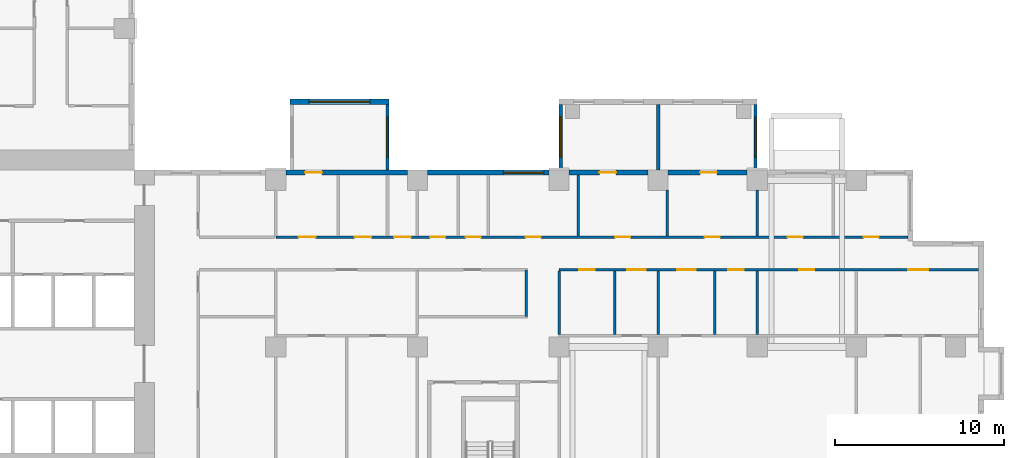
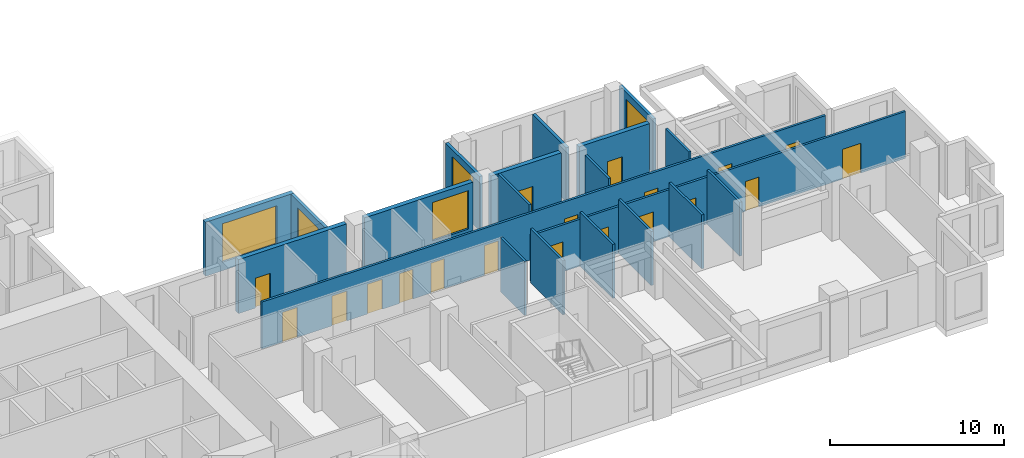
# One storey, part 7 of 17: 20 walls, 19 doors, 5 windows, 24 openings.
"""IFC4 building model written with IfcOpenShell, lengths in metres."""

import ifcopenshell
import ifcopenshell.guid

model = None  # the IFC model being written
_history = None  # IfcOwnerHistory: only IFC2X3 demands one
_inside = {}  # id of a spatial element -> (the spatial element, [elements in it])
_under = {}  # id of a project, library or spatial element -> (it, [spatial elements below it])
_declared = {}  # id of a project -> (the project, [libraries it declares])
_typed = {}  # id of a type object -> (the type object, [elements of that type])
_made_of = {}  # id of a material, layer set ... -> (it, [elements and type objects made of it])


def new_model(schema):
    """Start an empty IFC model of exactly this schema.

    Asked for "IFC4X3", IfcOpenShell would pick the latest addendum, in which some entities
    have other attributes; the version numbers below select the first issue.
    IFC2X3 requires an IfcOwnerHistory on every rooted entity: one is made here for all.
    """
    global model, _history
    if schema == "IFC4X3":
        model = ifcopenshell.file(schema_version=(4, 3, 0, 0))
    else:
        model = ifcopenshell.file(schema=schema)
    _inside.clear()
    _under.clear()
    _declared.clear()
    _typed.clear()
    _made_of.clear()
    _history = None
    if model.schema == "IFC2X3":
        org = make("IfcOrganization", Name="unknown")
        user = make(
            "IfcPersonAndOrganization",
            ThePerson=make("IfcPerson", FamilyName="unknown"),
            TheOrganization=org,
        )
        app = make(
            "IfcApplication",
            ApplicationDeveloper=org,
            Version="unknown",
            ApplicationFullName="unknown",
            ApplicationIdentifier="unknown",
        )
        _history = make(
            "IfcOwnerHistory",
            OwningUser=user,
            OwningApplication=app,
            ChangeAction="ADDED",
            CreationDate=0,
        )
    return model


def make(cls, **values):
    """One entity of the class cls with the attributes given. An attribute that is None is left unset."""
    return model.create_entity(
        cls, **{name: value for name, value in values.items() if value is not None}
    )


def rooted(cls, **values):
    """An entity with a GlobalId (a new one), such as an element, a storey or a relation."""
    return make(cls, GlobalId=ifcopenshell.guid.new(), OwnerHistory=_history, **values)


def si_unit(unit_type, name, prefix=None):
    """IfcSIUnit, for example si_unit("LENGTHUNIT", "METRE", prefix="MILLI")."""
    return make("IfcSIUnit", UnitType=unit_type, Prefix=prefix, Name=name)


def assignment(units):
    """IfcUnitAssignment: the units of a project."""
    return None if units is None else make("IfcUnitAssignment", Units=units)


def point(xyz):
    """IfcCartesianPoint."""
    return None if xyz is None else make("IfcCartesianPoint", Coordinates=xyz)


def direction(xyz):
    """IfcDirection."""
    return None if xyz is None else make("IfcDirection", DirectionRatios=xyz)


def frame(location, z_axis=None, x_axis=None):
    """IfcAxis2Placement3D, a coordinate frame: its origin and axes. An axis left out is left unset."""
    return make(
        "IfcAxis2Placement3D",
        Location=point(location),
        Axis=direction(z_axis),
        RefDirection=direction(x_axis),
    )


def frame_2d(location, x_axis=None):
    """IfcAxis2Placement2D, a coordinate frame in the plane: its origin and x axis."""
    return make(
        "IfcAxis2Placement2D", Location=point(location), RefDirection=direction(x_axis)
    )


def origin():
    """The frame at (0, 0, 0) with its axes left unset."""
    return frame((0.0, 0.0, 0.0))


def place(relative_to, where):
    """IfcLocalPlacement: puts the frame where relative to a parent placement (None: the world)."""
    return make(
        "IfcLocalPlacement", PlacementRelTo=relative_to, RelativePlacement=where
    )


def context(
    kind, dimensions, precision=None, world=None, true_north=None, identifier=None
):
    """IfcGeometricRepresentationContext, for example the 3D "Model" context."""
    return make(
        "IfcGeometricRepresentationContext",
        ContextIdentifier=identifier,
        ContextType=kind,
        CoordinateSpaceDimension=dimensions,
        Precision=precision,
        WorldCoordinateSystem=world,
        TrueNorth=true_north,
    )


def subcontext(parent, identifier, kind, view, scale=None):
    """IfcGeometricRepresentationSubContext, for example "Body" below "Model"."""
    return make(
        "IfcGeometricRepresentationSubContext",
        ContextIdentifier=identifier,
        ContextType=kind,
        ParentContext=parent,
        TargetScale=scale,
        TargetView=view,
    )


def project(units=None, contexts=None):
    """IfcProject with its units and contexts."""
    return rooted(
        "IfcProject",
        Name="project",
        RepresentationContexts=contexts,
        UnitsInContext=assignment(units),
    )


def spatial(cls, under=None, at=None, **own):
    """A site, building, storey or space (cls), placed at a placement, below another one or the project."""
    s = rooted(cls, ObjectPlacement=at, **own)
    if under is not None:
        _under.setdefault(under.id(), (under, []))[1].append(s)
    return s


def profile(cls, at=None, kind="AREA", **sizes):
    """A parametric profile (cls). Its sizes go by their IFC names, for example OverallWidth=200.0."""
    return make(cls, ProfileType=kind, Position=at, **sizes)


def rectangle(**sizes):
    """IfcRectangleProfileDef."""
    return profile("IfcRectangleProfileDef", **sizes)


def extrude(swept, where, along, depth):
    """IfcExtrudedAreaSolid: the profile swept, set in the frame where, extruded along a direction by depth."""
    return make(
        "IfcExtrudedAreaSolid",
        SweptArea=swept,
        Position=where,
        ExtrudedDirection=direction(along),
        Depth=depth,
    )


def shape(context_of_items, identifier, shape_type, items):
    """IfcShapeRepresentation: the items that make up one representation, for example the "Body"."""
    return make(
        "IfcShapeRepresentation",
        ContextOfItems=context_of_items,
        RepresentationIdentifier=identifier,
        RepresentationType=shape_type,
        Items=items,
    )


def source(mapping_origin, context_of_items, identifier, shape_type, items):
    """IfcRepresentationMap: a shape defined once, which mapped items show again and again."""
    return make(
        "IfcRepresentationMap",
        MappingOrigin=mapping_origin,
        MappedRepresentation=shape(context_of_items, identifier, shape_type, items),
    )


def transform(
    local_origin,
    x_axis=None,
    y_axis=None,
    z_axis=None,
    scale=None,
    scale2=None,
    scale3=None,
    uniform=True,
):
    """IfcCartesianTransformationOperator3D, or its non-uniform kind. x_axis, y_axis, z_axis: its Axis1, 2, 3."""
    if uniform:
        return make(
            "IfcCartesianTransformationOperator3D",
            Axis1=direction(x_axis),
            Axis2=direction(y_axis),
            LocalOrigin=point(local_origin),
            Scale=scale,
            Axis3=direction(z_axis),
        )
    return make(
        "IfcCartesianTransformationOperator3DnonUniform",
        Axis1=direction(x_axis),
        Axis2=direction(y_axis),
        LocalOrigin=point(local_origin),
        Scale=scale,
        Axis3=direction(z_axis),
        Scale2=scale2,
        Scale3=scale3,
    )


def mapped(mapping_source, mapping_target):
    """IfcMappedItem: shows the shape of a source again, moved by a transform."""
    return make(
        "IfcMappedItem", MappingSource=mapping_source, MappingTarget=mapping_target
    )


def material(Name=None, Category=None):
    """IfcMaterial."""
    return make("IfcMaterial", Name=Name, Category=Category)


def layer(
    of_material, thickness, ventilated=None, Name=None, Category=None, Priority=None
):
    """IfcMaterialLayer: one layer of a wall or slab, of a material (None: an air gap)."""
    return make(
        "IfcMaterialLayer",
        Material=of_material,
        LayerThickness=thickness,
        IsVentilated=ventilated,
        Name=Name,
        Category=Category,
        Priority=Priority,
    )


def layer_set(layers, Name=None):
    """IfcMaterialLayerSet."""
    return make("IfcMaterialLayerSet", MaterialLayers=layers, LayerSetName=Name)


def made_of(thing, what):
    """Note that an element or type object is made of a material, layer set ...; save() writes the relation."""
    if what is not None:
        _made_of.setdefault(what.id(), (what, []))[1].append(thing)
    return thing


def type_object(cls, material=None, **own):
    """A type object (cls), such as IfcWallType, which elements share."""
    return made_of(rooted(cls, **own), material)


def element(
    cls,
    number,
    at=None,
    inside=None,
    cuts=None,
    type_object=None,
    material=None,
    context=None,
    identifier="Body",
    shape_type=None,
    held_by="IfcProductDefinitionShape",
    body=None,
    shapes=None,
    **own,
):
    """One element of the class cls, such as IfcWall. Its Tag is "e" and its number.

    at: its placement. inside: the storey or other place that contains it. cuts: it is an
    opening in that element (IfcRelVoidsElement). A single representation is given by context,
    identifier, shape_type and body (its items); several are given by shapes. held_by: the class
    of the entity that holds the representations. save() writes the other relations.
    """
    e = rooted(cls, Tag="e%d" % number, ObjectPlacement=at, **own)
    if body is not None:
        shapes = [shape(context, identifier, shape_type, body)]
    if shapes is not None:
        e.Representation = make(held_by, Representations=shapes)
    if inside is not None:
        _inside.setdefault(inside.id(), (inside, []))[1].append(e)
    if cuts is not None:
        rooted(
            "IfcRelVoidsElement", RelatingBuildingElement=cuts, RelatedOpeningElement=e
        )
    if type_object is not None:
        _typed.setdefault(type_object.id(), (type_object, []))[1].append(e)
    return made_of(e, material)


def fill(opening, filler):
    """IfcRelFillsElement: the door or window that sits in an opening."""
    return rooted(
        "IfcRelFillsElement",
        RelatingOpeningElement=opening,
        RelatedBuildingElement=filler,
    )


def aggregate(whole, parts):
    """IfcRelAggregates: a whole, such as a stair, and the parts it consists of."""
    return rooted("IfcRelAggregates", RelatingObject=whole, RelatedObjects=parts)


def save(model, path):
    """Write the relations noted so far, then the file.

    IfcRelAggregates (storeys below a building ...), IfcRelContainedInSpatialStructure (elements
    in a storey), IfcRelDefinesByType, IfcRelAssociatesMaterial and IfcRelDeclares: one each for
    every whole, place, type object, material and project.
    """
    for whole, parts in _under.values():
        aggregate(whole, parts)
    for where, things in _inside.values():
        rooted(
            "IfcRelContainedInSpatialStructure",
            RelatedElements=things,
            RelatingStructure=where,
        )
    for kind, things in _typed.values():
        rooted("IfcRelDefinesByType", RelatedObjects=things, RelatingType=kind)
    for what, things in _made_of.values():
        rooted("IfcRelAssociatesMaterial", RelatedObjects=things, RelatingMaterial=what)
    for by, libraries in _declared.values():
        rooted("IfcRelDeclares", RelatingContext=by, RelatedDefinitions=libraries)
    model.write(path)


model = new_model("IFC4")

# Units and contexts
model_context = context("Model", 3, precision=1e-05, world=origin(), true_north=direction((0.0, 1.0)))
body_context = subcontext(model_context, "Body", "Model", "MODEL_VIEW")
ifc_project = project(units=[si_unit("LENGTHUNIT", "METRE"), si_unit("AREAUNIT", "SQUARE_METRE"), si_unit("VOLUMEUNIT", "CUBIC_METRE"), si_unit("PLANEANGLEUNIT", "RADIAN"), si_unit("MASSUNIT", "GRAM", prefix="KILO")], contexts=[model_context])

# Site, building, storey
site_placement = place(None, origin())
site = spatial("IfcSite", under=ifc_project, at=site_placement, CompositionType="ELEMENT")
building_placement = place(site_placement, origin())
building = spatial("IfcBuilding", under=site, at=building_placement, Name="Aurelian Terraces", CompositionType="ELEMENT")
storey_placement = place(building_placement, frame((0.0, 0.0, 69.9)))
storey = spatial("IfcBuildingStorey", under=building, at=storey_placement, Name="L14", CompositionType="ELEMENT", Elevation=69.9)

# Wall, opening, window
ifc_material_1 = material(Name="Terracotta rainscreen cladding", Category="masonry")
ifc_layer_1 = layer(ifc_material_1, 0.3)
ifc_layer_set_1 = layer_set([ifc_layer_1], Name="EW-300")
wall_type_1 = type_object("IfcWallType", Name="EW-300", PredefinedType="STANDARD", material=ifc_layer_set_1)
shared_shape_1 = source(origin(), body_context, "Body", "SweptSolid", [
    extrude(rectangle(XDim=7.2, YDim=0.3, at=frame_2d((3.6, 0.0))), origin(), (0.0, 0.0, 1.0), 3.8),
])
wall_1_placement = place(storey_placement, frame((45.6, 20.85, 0.0), z_axis=(0.0, 0.0, 1.0), x_axis=(-1.0, 0.0, 0.0)))
wall_1 = element("IfcWall", 1, at=wall_1_placement, inside=storey, type_object=wall_type_1, Name="External wall L14 F07.21", PredefinedType="STANDARD", context=body_context, shape_type="MappedRepresentation", body=[
    mapped(shared_shape_1, transform((0.0, 0.0, 0.0), scale=1.0)),
])
shared_shape_2 = source(origin(), body_context, "Body", "SweptSolid", [
    extrude(rectangle(XDim=2.4, YDim=2.7, at=frame_2d((1.2, 1.35))), frame((0.0, 0.16, 0.0), z_axis=(0.0, -1.0, 0.0), x_axis=(1.0, 0.0, 0.0)), (0.0, 0.0, 1.0), 0.32),
])
opening_1_placement = place(wall_1_placement, frame((0.3, 0.0, 0.6)))
opening_1 = element("IfcOpeningElement", 2, at=opening_1_placement, cuts=wall_1, Name="Opening W2427", PredefinedType="OPENING", context=body_context, shape_type="MappedRepresentation", body=[
    mapped(shared_shape_2, transform((0.0, 0.0, 0.0), scale=1.0)),
])
ifc_material_2 = material(Name="Clear glazing", Category="glass")
window_type_1 = type_object("IfcWindowType", Name="W-2400x2700", PartitioningType="SINGLE_PANEL", PredefinedType="WINDOW", material=ifc_material_2)
shared_shape_3 = source(origin(), body_context, "Body", "SweptSolid", [
    extrude(rectangle(XDim=2.4, YDim=2.7, at=frame_2d((1.2, 1.35))), frame((0.0, 0.03, 0.0), z_axis=(0.0, -1.0, 0.0), x_axis=(1.0, 0.0, 0.0)), (0.0, 0.0, 1.0), 0.06),
])
window_1_placement = place(opening_1_placement, origin())
window_1 = element("IfcWindow", 3, at=window_1_placement, inside=storey, type_object=window_type_1, Name="Window L14 L14-F07-21-0", OverallHeight=2.7, OverallWidth=2.4, PartitioningType="SINGLE_PANEL", PredefinedType="WINDOW", context=body_context, shape_type="MappedRepresentation", body=[
    mapped(shared_shape_3, transform((0.0, 0.0, 0.0), scale=1.0)),
])
fill(opening_1, window_1)

# Wall, opening, door
wall_2_placement = place(storey_placement, frame((37.2, 20.85, 0.0), z_axis=(0.0, 0.0, 1.0), x_axis=(-1.0, 0.0, 0.0)))
wall_2 = element("IfcWall", 4, at=wall_2_placement, inside=storey, type_object=wall_type_1, Name="External wall L14 F07.21", PredefinedType="STANDARD", context=body_context, shape_type="MappedRepresentation", body=[
    mapped(shared_shape_1, transform((0.0, 0.0, 0.0), scale=1.0)),
])
shared_shape_4 = source(origin(), body_context, "Body", "SweptSolid", [
    extrude(rectangle(XDim=1.0, YDim=2.1, at=frame_2d((0.5, 1.05))), frame((0.0, 0.16, 0.0), z_axis=(0.0, -1.0, 0.0), x_axis=(1.0, 0.0, 0.0)), (0.0, 0.0, 1.0), 0.32),
])
opening_2_placement = place(wall_2_placement, frame((5.06, 0.0, 0.0)))
opening_2 = element("IfcOpeningElement", 5, at=opening_2_placement, cuts=wall_2, Name="Opening 814002", PredefinedType="OPENING", context=body_context, shape_type="MappedRepresentation", body=[
    mapped(shared_shape_4, transform((0.0, 0.0, 0.0), scale=1.0)),
])
ifc_material_3 = material(Name="Timber door leaf", Category="wood")
door_type_1 = type_object("IfcDoorType", Name="Room door 1000x2100 left", OperationType="SINGLE_SWING_LEFT", PredefinedType="DOOR", material=ifc_material_3)
shared_shape_5 = source(origin(), body_context, "Body", "SweptSolid", [
    extrude(rectangle(XDim=1.0, YDim=2.1, at=frame_2d((0.5, 1.05))), frame((0.0, 0.025, 0.0), z_axis=(0.0, -1.0, 0.0), x_axis=(1.0, 0.0, 0.0)), (0.0, 0.0, 1.0), 0.05),
])
door_1_placement = place(opening_2_placement, origin())
door_1 = element("IfcDoor", 6, at=door_1_placement, inside=storey, type_object=door_type_1, Name="Door 814002", OperationType="SINGLE_SWING_LEFT", OverallHeight=2.1, OverallWidth=1.0, PredefinedType="DOOR", context=body_context, shape_type="MappedRepresentation", body=[
    mapped(shared_shape_5, transform((0.0, 0.0, 0.0), scale=1.0)),
])
fill(opening_2, door_1)

shared_shape_6 = source(origin(), body_context, "Body", "SweptSolid", [
    extrude(rectangle(XDim=4.68, YDim=0.3, at=frame_2d((2.34, 0.0))), origin(), (0.0, 0.0, 1.0), 3.8),
])
wall_3_placement = place(storey_placement, frame((57.36, 20.85, 0.0), z_axis=(0.0, 0.0, 1.0), x_axis=(-1.0, 0.0, 0.0)))
wall_3 = element("IfcWall", 7, at=wall_3_placement, inside=storey, type_object=wall_type_1, Name="External wall L14 F07.20", PredefinedType="STANDARD", context=body_context, shape_type="MappedRepresentation", body=[
    mapped(shared_shape_6, transform((0.0, 0.0, 0.0), scale=1.0)),
])
opening_3_placement = place(wall_3_placement, frame((1.7933, 0.0, 0.0)))
opening_3 = element("IfcOpeningElement", 8, at=opening_3_placement, cuts=wall_3, Name="Opening 814005", PredefinedType="OPENING", context=body_context, shape_type="MappedRepresentation", body=[
    mapped(shared_shape_4, transform((0.0, 0.0, 0.0), scale=1.0)),
])
door_2_placement = place(opening_3_placement, origin())
door_2 = element("IfcDoor", 9, at=door_2_placement, inside=storey, type_object=door_type_1, Name="Door 814005", OperationType="SINGLE_SWING_LEFT", OverallHeight=2.1, OverallWidth=1.0, PredefinedType="DOOR", context=body_context, shape_type="MappedRepresentation", body=[
    mapped(shared_shape_5, transform((0.0, 0.0, 0.0), scale=1.0)),
])
fill(opening_3, door_2)

wall_4_placement = place(storey_placement, frame((51.48, 20.85, 0.0), z_axis=(0.0, 0.0, 1.0), x_axis=(-1.0, 0.0, 0.0)))
wall_4 = element("IfcWall", 10, at=wall_4_placement, inside=storey, type_object=wall_type_1, Name="External wall L14 F07.20", PredefinedType="STANDARD", context=body_context, shape_type="MappedRepresentation", body=[
    mapped(shared_shape_6, transform((0.0, 0.0, 0.0), scale=1.0)),
])
opening_4_placement = place(wall_4_placement, frame((1.8867, 0.0, 0.0)))
opening_4 = element("IfcOpeningElement", 11, at=opening_4_placement, cuts=wall_4, Name="Opening 814006", PredefinedType="OPENING", context=body_context, shape_type="MappedRepresentation", body=[
    mapped(shared_shape_4, transform((0.0, 0.0, 0.0), scale=1.0)),
])
door_3_placement = place(opening_4_placement, origin())
door_3 = element("IfcDoor", 12, at=door_3_placement, inside=storey, type_object=door_type_1, Name="Door 814006", OperationType="SINGLE_SWING_LEFT", OverallHeight=2.1, OverallWidth=1.0, PredefinedType="DOOR", context=body_context, shape_type="MappedRepresentation", body=[
    mapped(shared_shape_5, transform((0.0, 0.0, 0.0), scale=1.0)),
])
fill(opening_4, door_3)

# Wall, opening, window
ifc_material_4 = material(Name="Concrete fc' 40 MPa", Category="concrete")
ifc_layer_2 = layer(ifc_material_4, 0.2)
ifc_layer_set_2 = layer_set([ifc_layer_2], Name="BOX BEARING WALL 200")
wall_type_2 = type_object("IfcWallType", Name="BOX BEARING WALL 200", PredefinedType="SOLIDWALL", material=ifc_layer_set_2)
shared_shape_7 = source(origin(), body_context, "Body", "SweptSolid", [
    extrude(rectangle(XDim=3.9, YDim=0.2, at=frame_2d((1.95, 0.0))), origin(), (0.0, 0.0, 1.0), 3.79),
])
wall_5_placement = place(storey_placement, frame((57.86, 21.0, 0.0), z_axis=(0.0, 0.0, 1.0), x_axis=(0.0, 1.0, 0.0)))
wall_5 = element("IfcWall", 13, at=wall_5_placement, inside=storey, type_object=wall_type_2, Name="Box return L14 K01.1", PredefinedType="SOLIDWALL", context=body_context, shape_type="MappedRepresentation", body=[
    mapped(shared_shape_7, transform((0.0, 0.0, 0.0), scale=1.0)),
])
shared_shape_8 = source(origin(), body_context, "Body", "SweptSolid", [
    extrude(rectangle(XDim=2.4, YDim=2.7, at=frame_2d((1.2, 1.35))), frame((0.0, 0.11, 0.0), z_axis=(0.0, -1.0, 0.0), x_axis=(1.0, 0.0, 0.0)), (0.0, 0.0, 1.0), 0.22),
])
opening_5_placement = place(wall_5_placement, frame((0.75, 0.0, 0.6)))
opening_5 = element("IfcOpeningElement", 14, at=opening_5_placement, cuts=wall_5, Name="Opening W2427", PredefinedType="OPENING", context=body_context, shape_type="MappedRepresentation", body=[
    mapped(shared_shape_8, transform((0.0, 0.0, 0.0), scale=1.0)),
])
window_2_placement = place(opening_5_placement, origin())
window_2 = element("IfcWindow", 15, at=window_2_placement, inside=storey, type_object=window_type_1, Name="Window L14 K01-S1", OverallHeight=2.7, OverallWidth=2.4, PartitioningType="SINGLE_PANEL", PredefinedType="WINDOW", context=body_context, shape_type="MappedRepresentation", body=[
    mapped(shared_shape_3, transform((0.0, 0.0, 0.0), scale=1.0)),
])
fill(opening_5, window_2)

wall_6_placement = place(storey_placement, frame((46.3, 21.0, 0.0), z_axis=(0.0, 0.0, 1.0), x_axis=(0.0, 1.0, 0.0)))
wall_6 = element("IfcWall", 16, at=wall_6_placement, inside=storey, type_object=wall_type_2, Name="Box return L14 K01.2", PredefinedType="SOLIDWALL", context=body_context, shape_type="MappedRepresentation", body=[
    mapped(shared_shape_7, transform((0.0, 0.0, 0.0), scale=1.0)),
])
opening_6_placement = place(wall_6_placement, frame((0.75, 0.0, 0.6)))
opening_6 = element("IfcOpeningElement", 17, at=opening_6_placement, cuts=wall_6, Name="Opening W2427", PredefinedType="OPENING", context=body_context, shape_type="MappedRepresentation", body=[
    mapped(shared_shape_8, transform((0.0, 0.0, 0.0), scale=1.0)),
])
window_3_placement = place(opening_6_placement, origin())
window_3 = element("IfcWindow", 18, at=window_3_placement, inside=storey, type_object=window_type_1, Name="Window L14 K01-S2", OverallHeight=2.7, OverallWidth=2.4, PartitioningType="SINGLE_PANEL", PredefinedType="WINDOW", context=body_context, shape_type="MappedRepresentation", body=[
    mapped(shared_shape_3, transform((0.0, 0.0, 0.0), scale=1.0)),
])
fill(opening_6, window_3)

shared_shape_9 = source(origin(), body_context, "Body", "SweptSolid", [
    extrude(rectangle(XDim=3.9, YDim=0.2, at=frame_2d((1.95, 0.0))), origin(), (0.0, 0.0, 1.0), 3.8),
])
wall_7_placement = place(storey_placement, frame((36.02, 21.0, 0.0), z_axis=(0.0, 0.0, 1.0), x_axis=(0.0, 1.0, 0.0)))
wall_7 = element("IfcWall", 19, at=wall_7_placement, inside=storey, type_object=wall_type_2, Name="Box return L14 J13.1", PredefinedType="SOLIDWALL", context=body_context, shape_type="MappedRepresentation", body=[
    mapped(shared_shape_9, transform((0.0, 0.0, 0.0), scale=1.0)),
])
opening_7_placement = place(wall_7_placement, frame((0.75, 0.0, 0.6)))
opening_7 = element("IfcOpeningElement", 20, at=opening_7_placement, cuts=wall_7, Name="Opening W2427", PredefinedType="OPENING", context=body_context, shape_type="MappedRepresentation", body=[
    mapped(shared_shape_8, transform((0.0, 0.0, 0.0), scale=1.0)),
])
window_4_placement = place(opening_7_placement, origin())
window_4 = element("IfcWindow", 21, at=window_4_placement, inside=storey, type_object=window_type_1, Name="Window L14 J13-S1", OverallHeight=2.7, OverallWidth=2.4, PartitioningType="SINGLE_PANEL", PredefinedType="WINDOW", context=body_context, shape_type="MappedRepresentation", body=[
    mapped(shared_shape_3, transform((0.0, 0.0, 0.0), scale=1.0)),
])
fill(opening_7, window_4)

ifc_layer_3 = layer(ifc_material_4, 0.3)
ifc_layer_set_3 = layer_set([ifc_layer_3], Name="BOX BEARING WALL 300")
wall_type_3 = type_object("IfcWallType", Name="BOX BEARING WALL 300", PredefinedType="SOLIDWALL", material=ifc_layer_set_3)
shared_shape_10 = source(origin(), body_context, "Body", "SweptSolid", [
    extrude(rectangle(XDim=5.88, YDim=0.3, at=frame_2d((2.94, 0.0))), origin(), (0.0, 0.0, 1.0), 3.8),
])
wall_8_placement = place(storey_placement, frame((36.12, 25.05, 0.0), z_axis=(0.0, 0.0, 1.0), x_axis=(-1.0, 0.0, 0.0)))
wall_8 = element("IfcWall", 22, at=wall_8_placement, inside=storey, type_object=wall_type_3, Name="Box wall L14 J13", PredefinedType="SOLIDWALL", context=body_context, shape_type="MappedRepresentation", body=[
    mapped(shared_shape_10, transform((0.0, 0.0, 0.0), scale=1.0)),
])
shared_shape_11 = source(origin(), body_context, "Body", "SweptSolid", [
    extrude(rectangle(XDim=3.6, YDim=2.7, at=frame_2d((1.8, 1.35))), frame((0.0, 0.16, 0.0), z_axis=(0.0, -1.0, 0.0), x_axis=(1.0, 0.0, 0.0)), (0.0, 0.0, 1.0), 0.32),
])
opening_8_placement = place(wall_8_placement, frame((1.14, 0.0, 0.6)))
opening_8 = element("IfcOpeningElement", 23, at=opening_8_placement, cuts=wall_8, Name="Opening W3627", PredefinedType="OPENING", context=body_context, shape_type="MappedRepresentation", body=[
    mapped(shared_shape_11, transform((0.0, 0.0, 0.0), scale=1.0)),
])
window_type_2 = type_object("IfcWindowType", Name="W-3600x2700", PartitioningType="SINGLE_PANEL", PredefinedType="WINDOW", material=ifc_material_2)
shared_shape_12 = source(origin(), body_context, "Body", "SweptSolid", [
    extrude(rectangle(XDim=3.6, YDim=2.7, at=frame_2d((1.8, 1.35))), frame((0.0, 0.03, 0.0), z_axis=(0.0, -1.0, 0.0), x_axis=(1.0, 0.0, 0.0)), (0.0, 0.0, 1.0), 0.06),
])
window_5_placement = place(opening_8_placement, origin())
window_5 = element("IfcWindow", 24, at=window_5_placement, inside=storey, type_object=window_type_2, Name="Window L14 J13-F1", OverallHeight=2.7, OverallWidth=3.6, PartitioningType="SINGLE_PANEL", PredefinedType="WINDOW", context=body_context, shape_type="MappedRepresentation", body=[
    mapped(shared_shape_12, transform((0.0, 0.0, 0.0), scale=1.0)),
])
fill(opening_8, window_5)

# Walls
shared_shape_13 = source(origin(), body_context, "Body", "SweptSolid", [
    extrude(rectangle(XDim=3.9, YDim=0.2, at=frame_2d((1.95, 0.0))), origin(), (0.0, 0.0, 1.0), 3.79),
])
wall_9_placement = place(storey_placement, frame((52.08, 21.0, 0.0), z_axis=(0.0, 0.0, 1.0), x_axis=(0.0, 1.0, 0.0)))
element("IfcWall", 25, at=wall_9_placement, inside=storey, type_object=wall_type_2, Name="Box partition L14 K01", PredefinedType="SOLIDWALL", context=body_context, shape_type="MappedRepresentation", body=[
    mapped(shared_shape_13, transform((0.0, 0.0, 0.0), scale=1.0)),
])
ifc_material_5 = material(Name="Gypsum board on steel studs", Category="steel")
ifc_layer_4 = layer(ifc_material_5, 0.15)
ifc_layer_set_4 = layer_set([ifc_layer_4], Name="Partition 150")
wall_type_4 = type_object("IfcWallType", Name="Partition 150", PredefinedType="PARTITIONING", material=ifc_layer_set_4)
shared_shape_14 = source(origin(), body_context, "Body", "SweptSolid", [
    extrude(rectangle(XDim=3.75, YDim=0.15, at=frame_2d((1.875, 0.0))), origin(), (0.0, 0.0, 1.0), 3.8),
])
for number, where, z_axis, x_axis, name in (
    (26, (49.5116, 11.25, 0.0), (0.0, 0.0, 1.0), (0.0, 1.0, 0.0), "Partition"),
    (27, (55.4328, 11.25, 0.0), (0.0, 0.0, 1.0), (0.0, 1.0, 0.0), "Partition"),
    (28, (57.96, 11.25, 0.0), (0.0, 0.0, 1.0), (0.0, 1.0, 0.0), "Partition"),
    (29, (46.2, 11.25, 0.0), (0.0, 0.0, 1.0), (0.0, 1.0, 0.0), "Partition"),
    (30, (52.08, 11.25, 0.0), (0.0, 0.0, 1.0), (0.0, 1.0, 0.0), "Partition"),
):
    element("IfcWall", number, at=place(storey_placement, frame(where, z_axis=z_axis, x_axis=x_axis)), inside=storey, type_object=wall_type_4, Name=name, PredefinedType="PARTITIONING", context=body_context, shape_type="MappedRepresentation", body=[
        mapped(shared_shape_14, transform((0.0, 0.0, 0.0), scale=1.0)),
    ])
shared_shape_15 = source(origin(), body_context, "Body", "SweptSolid", [
    extrude(rectangle(XDim=3.6, YDim=0.15, at=frame_2d((1.8, 0.0))), origin(), (0.0, 0.0, 1.0), 3.8),
])
wall_10_placement = place(storey_placement, frame((47.345, 20.7, 0.0), z_axis=(0.0, 0.0, 1.0), x_axis=(0.0, -1.0, 0.0)))
element("IfcWall", 31, at=wall_10_placement, inside=storey, type_object=wall_type_4, Name="Partition", PredefinedType="PARTITIONING", context=body_context, shape_type="MappedRepresentation", body=[
    mapped(shared_shape_15, transform((0.0, 0.0, 0.0), scale=1.0)),
])
shared_shape_16 = source(origin(), body_context, "Body", "SweptSolid", [
    extrude(rectangle(XDim=2.701, YDim=0.15, at=frame_2d((1.3505, 0.0))), origin(), (0.0, 0.0, 1.0), 3.8),
])
for number, where, z_axis, x_axis, name in (
    (32, (52.615, 19.801, 0.0), (0.0, 0.0, 1.0), (0.0, -1.0, 0.0), "Partition"),
    (33, (57.96, 17.1, 0.0), (0.0, 0.0, 1.0), (0.0, 1.0, 0.0), "Partition"),
):
    element("IfcWall", number, at=place(storey_placement, frame(where, z_axis=z_axis, x_axis=x_axis)), inside=storey, type_object=wall_type_4, Name=name, PredefinedType="PARTITIONING", context=body_context, shape_type="MappedRepresentation", body=[
        mapped(shared_shape_16, transform((0.0, 0.0, 0.0), scale=1.0)),
    ])

# Wall, openings, doors
ifc_layer_5 = layer(ifc_material_5, 0.15)
ifc_layer_set_5 = layer_set([ifc_layer_5], Name="Fire partition 150")
wall_type_5 = type_object("IfcWallType", Name="Fire partition 150", PredefinedType="PARTITIONING", material=ifc_layer_set_5)
shared_shape_17 = source(origin(), body_context, "Body", "SweptSolid", [
    extrude(rectangle(XDim=24.9, YDim=0.15, at=frame_2d((12.45, 0.0))), origin(), (0.0, 0.0, 1.0), 3.3),
])
wall_11_placement = place(storey_placement, frame((71.1, 15.075, 0.0), z_axis=(0.0, 0.0, 1.0), x_axis=(-1.0, 0.0, 0.0)))
wall_11 = element("IfcWall", 34, at=wall_11_placement, inside=storey, type_object=wall_type_5, Name="Corridor wall", PredefinedType="PARTITIONING", context=body_context, shape_type="MappedRepresentation", body=[
    mapped(shared_shape_17, transform((0.0, 0.0, 0.0), scale=1.0)),
])
shared_shape_18 = source(origin(), body_context, "Body", "SweptSolid", [
    extrude(rectangle(XDim=1.1, YDim=2.1, at=frame_2d((0.55, 1.05))), frame((0.0, 0.085, 0.0), z_axis=(0.0, -1.0, 0.0), x_axis=(1.0, 0.0, 0.0)), (0.0, 0.0, 1.0), 0.17),
])
opening_9_placement = place(wall_11_placement, frame((19.7542, 0.0, 0.0)))
opening_9 = element("IfcOpeningElement", 35, at=opening_9_placement, cuts=wall_11, Name="Opening 714010", PredefinedType="OPENING", context=body_context, shape_type="MappedRepresentation", body=[
    mapped(shared_shape_18, transform((0.0, 0.0, 0.0), scale=1.0)),
])
shared_shape_19 = source(origin(), body_context, "Body", "SweptSolid", [
    extrude(rectangle(XDim=0.9, YDim=2.1, at=frame_2d((0.45, 1.05))), frame((0.0, 0.085, 0.0), z_axis=(0.0, -1.0, 0.0), x_axis=(1.0, 0.0, 0.0)), (0.0, 0.0, 1.0), 0.17),
])
opening_10_placement = place(wall_11_placement, frame((22.7942, 0.0, 0.0)))
opening_10 = element("IfcOpeningElement", 36, at=opening_10_placement, cuts=wall_11, Name="Opening 714012", PredefinedType="OPENING", context=body_context, shape_type="MappedRepresentation", body=[
    mapped(shared_shape_19, transform((0.0, 0.0, 0.0), scale=1.0)),
])
opening_11_placement = place(wall_11_placement, frame((16.7936, 0.0, 0.0)))
opening_11 = element("IfcOpeningElement", 37, at=opening_11_placement, cuts=wall_11, Name="Opening 714013", PredefinedType="OPENING", context=body_context, shape_type="MappedRepresentation", body=[
    mapped(shared_shape_18, transform((0.0, 0.0, 0.0), scale=1.0)),
])
opening_12_placement = place(wall_11_placement, frame((13.9536, 0.0, 0.0)))
opening_12 = element("IfcOpeningElement", 38, at=opening_12_placement, cuts=wall_11, Name="Opening 714015", PredefinedType="OPENING", context=body_context, shape_type="MappedRepresentation", body=[
    mapped(shared_shape_19, transform((0.0, 0.0, 0.0), scale=1.0)),
])
opening_13_placement = place(wall_11_placement, frame((9.75, 0.0, 0.0)))
opening_13 = element("IfcOpeningElement", 39, at=opening_13_placement, cuts=wall_11, Name="Opening 714016", PredefinedType="OPENING", context=body_context, shape_type="MappedRepresentation", body=[
    mapped(shared_shape_19, transform((0.0, 0.0, 0.0), scale=1.0)),
])
shared_shape_20 = source(origin(), body_context, "Body", "SweptSolid", [
    extrude(rectangle(XDim=1.2, YDim=2.1, at=frame_2d((0.6, 1.05))), frame((0.0, 0.085, 0.0), z_axis=(0.0, -1.0, 0.0), x_axis=(1.0, 0.0, 0.0)), (0.0, 0.0, 1.0), 0.17),
])
opening_14_placement = place(wall_11_placement, frame((2.9925, 0.0, 0.0)))
opening_14 = element("IfcOpeningElement", 40, at=opening_14_placement, cuts=wall_11, Name="Opening 714017", PredefinedType="OPENING", context=body_context, shape_type="MappedRepresentation", body=[
    mapped(shared_shape_20, transform((0.0, 0.0, 0.0), scale=1.0)),
])
door_type_2 = type_object("IfcDoorType", Name="Room door 900x2100 left", OperationType="SINGLE_SWING_LEFT", PredefinedType="DOOR", material=ifc_material_3)
shared_shape_21 = source(origin(), body_context, "Body", "SweptSolid", [
    extrude(rectangle(XDim=0.9, YDim=2.1, at=frame_2d((0.45, 1.05))), frame((0.0, 0.025, 0.0), z_axis=(0.0, -1.0, 0.0), x_axis=(1.0, 0.0, 0.0)), (0.0, 0.0, 1.0), 0.05),
])
door_4_placement = place(opening_10_placement, origin())
door_4 = element("IfcDoor", 41, at=door_4_placement, inside=storey, type_object=door_type_2, Name="Door 714012", OperationType="SINGLE_SWING_LEFT", OverallHeight=2.1, OverallWidth=0.9, PredefinedType="DOOR", context=body_context, shape_type="MappedRepresentation", body=[
    mapped(shared_shape_21, transform((0.0, 0.0, 0.0), scale=1.0)),
])
fill(opening_10, door_4)
door_5_placement = place(opening_12_placement, origin())
door_5 = element("IfcDoor", 42, at=door_5_placement, inside=storey, type_object=door_type_2, Name="Door 714015", OperationType="SINGLE_SWING_LEFT", OverallHeight=2.1, OverallWidth=0.9, PredefinedType="DOOR", context=body_context, shape_type="MappedRepresentation", body=[
    mapped(shared_shape_21, transform((0.0, 0.0, 0.0), scale=1.0)),
])
fill(opening_12, door_5)
door_type_3 = type_object("IfcDoorType", Name="Room door 900x2100 right", OperationType="SINGLE_SWING_RIGHT", PredefinedType="DOOR", material=ifc_material_3)
door_6_placement = place(opening_13_placement, origin())
door_6 = element("IfcDoor", 43, at=door_6_placement, inside=storey, type_object=door_type_3, Name="Door 714016", OperationType="SINGLE_SWING_RIGHT", OverallHeight=2.1, OverallWidth=0.9, PredefinedType="DOOR", context=body_context, shape_type="MappedRepresentation", body=[
    mapped(shared_shape_21, transform((0.0, 0.0, 0.0), scale=1.0)),
])
fill(opening_13, door_6)
door_type_4 = type_object("IfcDoorType", Name="Room door 1100x2100 left", OperationType="SINGLE_SWING_LEFT", PredefinedType="DOOR", material=ifc_material_3)
shared_shape_22 = source(origin(), body_context, "Body", "SweptSolid", [
    extrude(rectangle(XDim=1.1, YDim=2.1, at=frame_2d((0.55, 1.05))), frame((0.0, 0.025, 0.0), z_axis=(0.0, -1.0, 0.0), x_axis=(1.0, 0.0, 0.0)), (0.0, 0.0, 1.0), 0.05),
])
door_7_placement = place(opening_9_placement, origin())
door_7 = element("IfcDoor", 44, at=door_7_placement, inside=storey, type_object=door_type_4, Name="Door 714010", OperationType="SINGLE_SWING_LEFT", OverallHeight=2.1, OverallWidth=1.1, PredefinedType="DOOR", context=body_context, shape_type="MappedRepresentation", body=[
    mapped(shared_shape_22, transform((0.0, 0.0, 0.0), scale=1.0)),
])
fill(opening_9, door_7)
door_8_placement = place(opening_11_placement, origin())
door_8 = element("IfcDoor", 45, at=door_8_placement, inside=storey, type_object=door_type_4, Name="Door 714013", OperationType="SINGLE_SWING_LEFT", OverallHeight=2.1, OverallWidth=1.1, PredefinedType="DOOR", context=body_context, shape_type="MappedRepresentation", body=[
    mapped(shared_shape_22, transform((0.0, 0.0, 0.0), scale=1.0)),
])
fill(opening_11, door_8)
door_type_5 = type_object("IfcDoorType", Name="Room door 1200x2100 left", OperationType="SINGLE_SWING_LEFT", PredefinedType="DOOR", material=ifc_material_3)
shared_shape_23 = source(origin(), body_context, "Body", "SweptSolid", [
    extrude(rectangle(XDim=1.2, YDim=2.1, at=frame_2d((0.6, 1.05))), frame((0.0, 0.025, 0.0), z_axis=(0.0, -1.0, 0.0), x_axis=(1.0, 0.0, 0.0)), (0.0, 0.0, 1.0), 0.05),
])
door_9_placement = place(opening_14_placement, origin())
door_9 = element("IfcDoor", 46, at=door_9_placement, inside=storey, type_object=door_type_5, Name="Door 714017", OperationType="SINGLE_SWING_LEFT", OverallHeight=2.1, OverallWidth=1.2, PredefinedType="DOOR", context=body_context, shape_type="MappedRepresentation", body=[
    mapped(shared_shape_23, transform((0.0, 0.0, 0.0), scale=1.0)),
])
fill(opening_14, door_9)

shared_shape_24 = source(origin(), body_context, "Body", "SweptSolid", [
    extrude(rectangle(XDim=37.5, YDim=0.15, at=frame_2d((18.75, 0.0))), origin(), (0.0, 0.0, 1.0), 3.3),
])
wall_12_placement = place(storey_placement, frame((29.4, 17.025, 0.0), z_axis=(0.0, 0.0, 1.0), x_axis=(1.0, 0.0, 0.0)))
wall_12 = element("IfcWall", 47, at=wall_12_placement, inside=storey, type_object=wall_type_5, Name="Corridor wall", PredefinedType="PARTITIONING", context=body_context, shape_type="MappedRepresentation", body=[
    mapped(shared_shape_24, transform((0.0, 0.0, 0.0), scale=1.0)),
])
shared_shape_25 = source(origin(), body_context, "Body", "SweptSolid", [
    extrude(rectangle(XDim=1.0, YDim=2.1, at=frame_2d((0.5, 1.05))), frame((0.0, 0.085, 0.0), z_axis=(0.0, -1.0, 0.0), x_axis=(1.0, 0.0, 0.0)), (0.0, 0.0, 1.0), 0.17),
])
opening_15_placement = place(wall_12_placement, frame((1.3567, 0.0, 0.0)))
opening_15 = element("IfcOpeningElement", 48, at=opening_15_placement, cuts=wall_12, Name="Opening 714020", PredefinedType="OPENING", context=body_context, shape_type="MappedRepresentation", body=[
    mapped(shared_shape_25, transform((0.0, 0.0, 0.0), scale=1.0)),
])
opening_16_placement = place(wall_12_placement, frame((4.6686, 0.0, 0.0)))
opening_16 = element("IfcOpeningElement", 49, at=opening_16_placement, cuts=wall_12, Name="Opening 714021", PredefinedType="OPENING", context=body_context, shape_type="MappedRepresentation", body=[
    mapped(shared_shape_25, transform((0.0, 0.0, 0.0), scale=1.0)),
])
opening_17_placement = place(wall_12_placement, frame((7.012, 0.0, 0.0)))
opening_17 = element("IfcOpeningElement", 50, at=opening_17_placement, cuts=wall_12, Name="Opening 714022", PredefinedType="OPENING", context=body_context, shape_type="MappedRepresentation", body=[
    mapped(shared_shape_25, transform((0.0, 0.0, 0.0), scale=1.0)),
])
opening_18_placement = place(wall_12_placement, frame((9.1578, 0.0, 0.0)))
opening_18 = element("IfcOpeningElement", 51, at=opening_18_placement, cuts=wall_12, Name="Opening 714023", PredefinedType="OPENING", context=body_context, shape_type="MappedRepresentation", body=[
    mapped(shared_shape_19, transform((0.0, 0.0, 0.0), scale=1.0)),
])
opening_19_placement = place(wall_12_placement, frame((11.2578, 0.0, 0.0)))
opening_19 = element("IfcOpeningElement", 52, at=opening_19_placement, cuts=wall_12, Name="Opening 714024", PredefinedType="OPENING", context=body_context, shape_type="MappedRepresentation", body=[
    mapped(shared_shape_19, transform((0.0, 0.0, 0.0), scale=1.0)),
])
opening_20_placement = place(wall_12_placement, frame((14.8225, 0.0, 0.0)))
opening_20 = element("IfcOpeningElement", 53, at=opening_20_placement, cuts=wall_12, Name="Opening 714025", PredefinedType="OPENING", context=body_context, shape_type="MappedRepresentation", body=[
    mapped(shared_shape_19, transform((0.0, 0.0, 0.0), scale=1.0)),
])
opening_21_placement = place(wall_12_placement, frame((20.13, 0.0, 0.0)))
opening_21 = element("IfcOpeningElement", 54, at=opening_21_placement, cuts=wall_12, Name="Opening 714026", PredefinedType="OPENING", context=body_context, shape_type="MappedRepresentation", body=[
    mapped(shared_shape_19, transform((0.0, 0.0, 0.0), scale=1.0)),
])
opening_22_placement = place(wall_12_placement, frame((25.4375, 0.0, 0.0)))
opening_22 = element("IfcOpeningElement", 55, at=opening_22_placement, cuts=wall_12, Name="Opening 714027", PredefinedType="OPENING", context=body_context, shape_type="MappedRepresentation", body=[
    mapped(shared_shape_19, transform((0.0, 0.0, 0.0), scale=1.0)),
])
opening_23_placement = place(wall_12_placement, frame((30.3638, 0.0, 0.0)))
opening_23 = element("IfcOpeningElement", 56, at=opening_23_placement, cuts=wall_12, Name="Opening 714028", PredefinedType="OPENING", context=body_context, shape_type="MappedRepresentation", body=[
    mapped(shared_shape_19, transform((0.0, 0.0, 0.0), scale=1.0)),
])
opening_24_placement = place(wall_12_placement, frame((34.8713, 0.0, 0.0)))
opening_24 = element("IfcOpeningElement", 57, at=opening_24_placement, cuts=wall_12, Name="Opening 714029", PredefinedType="OPENING", context=body_context, shape_type="MappedRepresentation", body=[
    mapped(shared_shape_19, transform((0.0, 0.0, 0.0), scale=1.0)),
])
door_10_placement = place(opening_15_placement, origin())
door_10 = element("IfcDoor", 58, at=door_10_placement, inside=storey, type_object=door_type_1, Name="Door 714020", OperationType="SINGLE_SWING_LEFT", OverallHeight=2.1, OverallWidth=1.0, PredefinedType="DOOR", context=body_context, shape_type="MappedRepresentation", body=[
    mapped(shared_shape_5, transform((0.0, 0.0, 0.0), scale=1.0)),
])
fill(opening_15, door_10)
door_type_6 = type_object("IfcDoorType", Name="Room door 1000x2100 right", OperationType="SINGLE_SWING_RIGHT", PredefinedType="DOOR", material=ifc_material_3)
door_11_placement = place(opening_16_placement, origin())
door_11 = element("IfcDoor", 59, at=door_11_placement, inside=storey, type_object=door_type_6, Name="Door 714021", OperationType="SINGLE_SWING_RIGHT", OverallHeight=2.1, OverallWidth=1.0, PredefinedType="DOOR", context=body_context, shape_type="MappedRepresentation", body=[
    mapped(shared_shape_5, transform((0.0, 0.0, 0.0), scale=1.0)),
])
fill(opening_16, door_11)
door_12_placement = place(opening_17_placement, origin())
door_12 = element("IfcDoor", 60, at=door_12_placement, inside=storey, type_object=door_type_1, Name="Door 714022", OperationType="SINGLE_SWING_LEFT", OverallHeight=2.1, OverallWidth=1.0, PredefinedType="DOOR", context=body_context, shape_type="MappedRepresentation", body=[
    mapped(shared_shape_5, transform((0.0, 0.0, 0.0), scale=1.0)),
])
fill(opening_17, door_12)
door_13_placement = place(opening_18_placement, origin())
door_13 = element("IfcDoor", 61, at=door_13_placement, inside=storey, type_object=door_type_2, Name="Door 714023", OperationType="SINGLE_SWING_LEFT", OverallHeight=2.1, OverallWidth=0.9, PredefinedType="DOOR", context=body_context, shape_type="MappedRepresentation", body=[
    mapped(shared_shape_21, transform((0.0, 0.0, 0.0), scale=1.0)),
])
fill(opening_18, door_13)
door_14_placement = place(opening_19_placement, origin())
door_14 = element("IfcDoor", 62, at=door_14_placement, inside=storey, type_object=door_type_3, Name="Door 714024", OperationType="SINGLE_SWING_RIGHT", OverallHeight=2.1, OverallWidth=0.9, PredefinedType="DOOR", context=body_context, shape_type="MappedRepresentation", body=[
    mapped(shared_shape_21, transform((0.0, 0.0, 0.0), scale=1.0)),
])
fill(opening_19, door_14)
door_15_placement = place(opening_20_placement, origin())
door_15 = element("IfcDoor", 63, at=door_15_placement, inside=storey, type_object=door_type_2, Name="Door 714025", OperationType="SINGLE_SWING_LEFT", OverallHeight=2.1, OverallWidth=0.9, PredefinedType="DOOR", context=body_context, shape_type="MappedRepresentation", body=[
    mapped(shared_shape_21, transform((0.0, 0.0, 0.0), scale=1.0)),
])
fill(opening_20, door_15)
door_16_placement = place(opening_21_placement, origin())
door_16 = element("IfcDoor", 64, at=door_16_placement, inside=storey, type_object=door_type_3, Name="Door 714026", OperationType="SINGLE_SWING_RIGHT", OverallHeight=2.1, OverallWidth=0.9, PredefinedType="DOOR", context=body_context, shape_type="MappedRepresentation", body=[
    mapped(shared_shape_21, transform((0.0, 0.0, 0.0), scale=1.0)),
])
fill(opening_21, door_16)
door_17_placement = place(opening_22_placement, origin())
door_17 = element("IfcDoor", 65, at=door_17_placement, inside=storey, type_object=door_type_2, Name="Door 714027", OperationType="SINGLE_SWING_LEFT", OverallHeight=2.1, OverallWidth=0.9, PredefinedType="DOOR", context=body_context, shape_type="MappedRepresentation", body=[
    mapped(shared_shape_21, transform((0.0, 0.0, 0.0), scale=1.0)),
])
fill(opening_22, door_17)
door_18_placement = place(opening_23_placement, origin())
door_18 = element("IfcDoor", 66, at=door_18_placement, inside=storey, type_object=door_type_2, Name="Door 714028", OperationType="SINGLE_SWING_LEFT", OverallHeight=2.1, OverallWidth=0.9, PredefinedType="DOOR", context=body_context, shape_type="MappedRepresentation", body=[
    mapped(shared_shape_21, transform((0.0, 0.0, 0.0), scale=1.0)),
])
fill(opening_23, door_18)
door_19_placement = place(opening_24_placement, origin())
door_19 = element("IfcDoor", 67, at=door_19_placement, inside=storey, type_object=door_type_3, Name="Door 714029", OperationType="SINGLE_SWING_RIGHT", OverallHeight=2.1, OverallWidth=0.9, PredefinedType="DOOR", context=body_context, shape_type="MappedRepresentation", body=[
    mapped(shared_shape_21, transform((0.0, 0.0, 0.0), scale=1.0)),
])
fill(opening_24, door_19)

# Wall
shared_shape_26 = source(origin(), body_context, "Body", "SweptSolid", [
    extrude(rectangle(XDim=2.775, YDim=0.15, at=frame_2d((1.3875, 0.0))), origin(), (0.0, 0.0, 1.0), 3.8),
])
wall_13_placement = place(storey_placement, frame((44.25, 12.3, 0.0), z_axis=(0.0, 0.0, 1.0), x_axis=(0.0, 1.0, 0.0)))
element("IfcWall", 68, at=wall_13_placement, inside=storey, type_object=wall_type_4, Name="Partition", PredefinedType="PARTITIONING", context=body_context, shape_type="MappedRepresentation", body=[
    mapped(shared_shape_26, transform((0.0, 0.0, 0.0), scale=1.0)),
])

save(model, "model.ifc")
